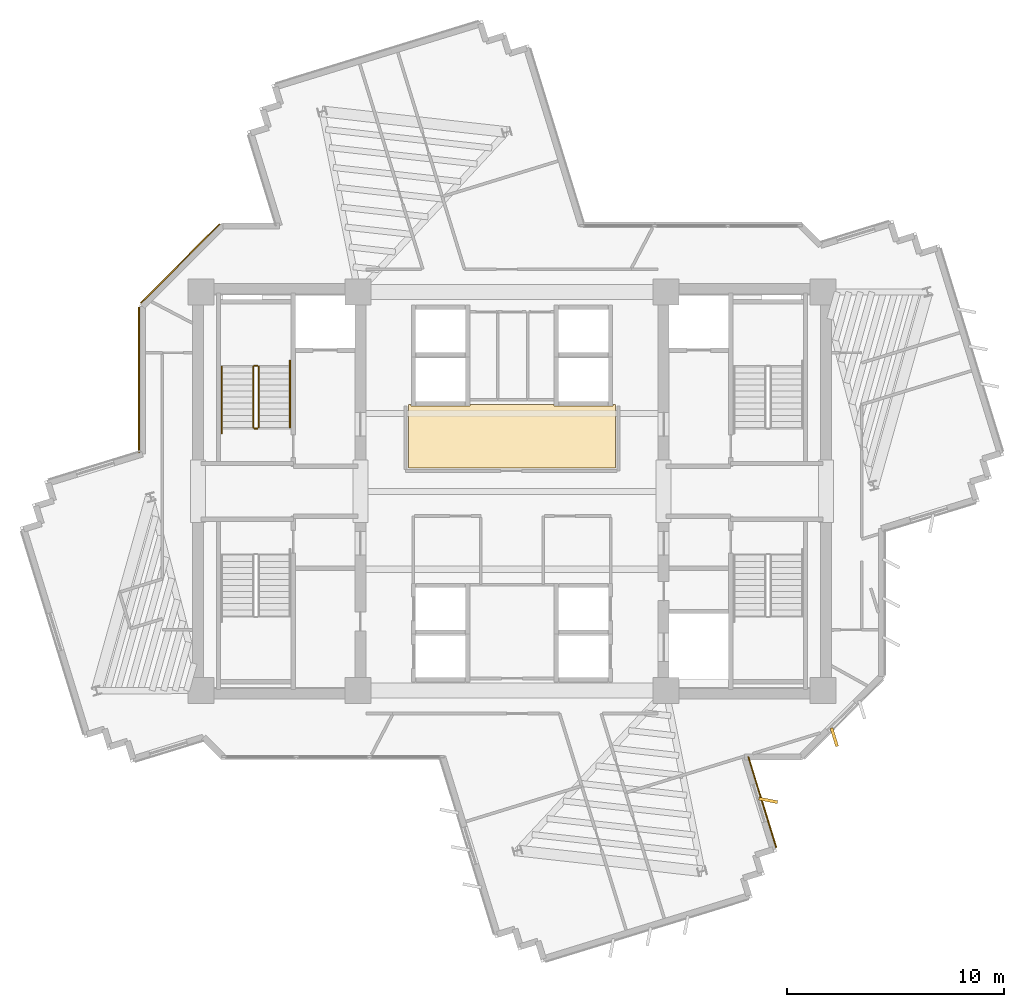
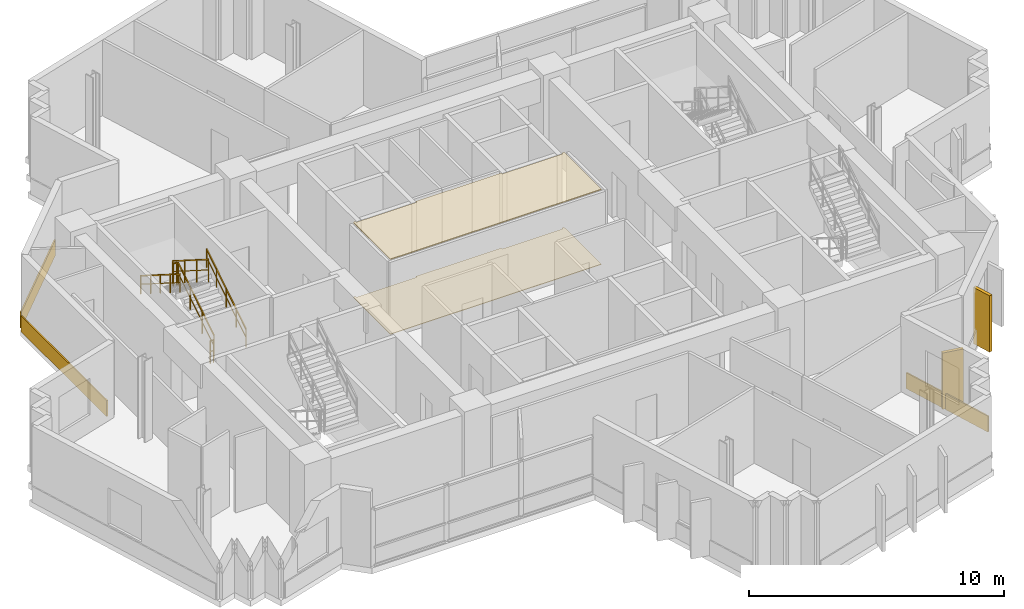
# One storey, part 11 of 13: 7 coverings, 6 railings.
"""IFC4 building model written with IfcOpenShell, lengths in metres."""

from ifc_helpers import new_model, si_unit, direction, frame, origin, origin_2d, place, context, subcontext, project, spatial, polyline, rectangle, outline, extrude, source, transform, mapped, material, layer, layer_set, type_object, element, save


model = new_model("IFC4")

# Units and contexts
model_context = context("Model", 3, precision=1e-05, world=origin(), true_north=direction((0.0, 1.0)))
body_context = subcontext(model_context, "Body", "Model", "MODEL_VIEW")
ifc_project = project(units=[si_unit("LENGTHUNIT", "METRE"), si_unit("AREAUNIT", "SQUARE_METRE"), si_unit("VOLUMEUNIT", "CUBIC_METRE"), si_unit("PLANEANGLEUNIT", "RADIAN"), si_unit("MASSUNIT", "GRAM", prefix="KILO")], contexts=[model_context])

# Site, building, storey
site_placement = place(None, origin())
site = spatial("IfcSite", under=ifc_project, at=site_placement, CompositionType="ELEMENT")
building_placement = place(site_placement, origin())
building = spatial("IfcBuilding", under=site, at=building_placement, Name="Zahravan Cultural Tower", CompositionType="ELEMENT")
storey_placement = place(building_placement, frame((0.0, 0.0, 213.60009765625)))
storey = spatial("IfcBuildingStorey", under=building, at=storey_placement, Name="L50", CompositionType="ELEMENT", Elevation=213.60009765625)

# Coverings
ifc_material_1 = material(Name="Acoustic mineral fibreboard")
ifc_layer_1 = layer(ifc_material_1, 0.0400390625)
ifc_layer_set_1 = layer_set([ifc_layer_1], Name="Acoustic mineral fibreboard")
covering_type_1 = type_object("IfcCoveringType", Name="COV-CEIL-AC20", PredefinedType="CEILING", material=ifc_layer_set_1)
covering_1_placement = place(storey_placement, frame((0.0, 0.0, 3.579833984375)))
element("IfcCovering", 1, at=covering_1_placement, inside=storey, type_object=covering_type_1, Name="L50 Acoustic Suspended Ceiling", PredefinedType="CEILING", context=body_context, shape_type="SweptSolid", body=[
    extrude(outline(polyline([(31.219970703125, 31.0), (31.219970703125, 28.080078125), (40.780029296875, 28.080078125), (40.780029296875, 31.0), (40.669921875, 31.0), (40.669921875, 30.929931640625), (37.929931640625, 30.929931640625), (37.929931640625, 31.0), (34.070068359375, 31.0), (34.070068359375, 30.929931640625), (31.330078125, 30.929931640625), (31.330078125, 31.0), (31.219970703125, 31.0)])), origin(), (0.0, 0.0, 1.0), 0.0400390625),
])
ifc_material_2 = material(Name="Terrazzo flooring")
ifc_layer_2 = layer(ifc_material_2, 0.02490234375)
ifc_layer_set_2 = layer_set([ifc_layer_2], Name="Terrazzo flooring")
covering_type_2 = type_object("IfcCoveringType", Name="COV-FLR-TZ25", PredefinedType="FLOORING", material=ifc_layer_set_2)
covering_2_placement = place(storey_placement, origin())
element("IfcCovering", 2, at=covering_2_placement, inside=storey, type_object=covering_type_2, Name="L50 Polished Terrazzo Flooring", PredefinedType="FLOORING", context=body_context, shape_type="SweptSolid", body=[
    extrude(outline(polyline([(31.219970703125, 31.0), (31.219970703125, 28.080078125), (40.780029296875, 28.080078125), (40.780029296875, 31.0), (40.669921875, 31.0), (40.669921875, 30.929931640625), (37.929931640625, 30.929931640625), (37.929931640625, 31.0), (34.070068359375, 31.0), (34.070068359375, 30.929931640625), (31.330078125, 30.929931640625), (31.330078125, 31.0), (31.219970703125, 31.0)])), origin(), (0.0, 0.0, 1.0), 0.02490234375),
])

# Railings
ifc_material_3 = material(Name="Steel ASTM A572 Grade 50", Category="steel")
railing_type_1 = type_object("IfcRailingType", Name="RL-STAIR-GRD1150", PredefinedType="BALUSTRADE", material=ifc_material_3)
railing_1_placement = place(storey_placement, frame((24.300048828125, 29.949951171875, 0.17724609375)))
element("IfcRailing", 3, at=railing_1_placement, inside=storey, type_object=railing_type_1, Name="L50 ST-W1 stair guard 1", PredefinedType="BALUSTRADE", context=body_context, shape_type="SweptSolid", body=[
    extrude(rectangle(XDim=0.05, YDim=0.05, at=origin_2d()), frame((0.0, 0.0, 1.0751953125), z_axis=(0.0, 0.844908973607, 0.534910110503), x_axis=(-1.0, 0.0, 0.0)), (0.0, 0.0, 1.0), 3.31396484375),
    extrude(rectangle(XDim=0.032, YDim=0.032, at=origin_2d()), frame((0.0, 0.0, 0.572021484375), z_axis=(0.0, 0.844908973607, 0.534910110503), x_axis=(-1.0, 0.0, 0.0)), (0.0, 0.0, 1.0), 3.31396484375),
    extrude(rectangle(XDim=0.04, YDim=0.04, at=origin_2d()), origin(), (0.0, 0.0, 1.0), 1.10009765625),
    extrude(rectangle(XDim=0.04, YDim=0.04, at=origin_2d()), frame((0.0, 0.933349609375, 0.5908203125)), (0.0, 0.0, 1.0), 1.10009765625),
    extrude(rectangle(XDim=0.04, YDim=0.04, at=origin_2d()), frame((0.0, 1.86669921875, 1.181884765625)), (0.0, 0.0, 1.0), 1.10009765625),
    extrude(rectangle(XDim=0.04, YDim=0.04, at=origin_2d()), frame((0.0, 2.800048828125, 1.772705078125)), (0.0, 0.0, 1.0), 1.10009765625),
])
railing_2_placement = place(storey_placement, frame((24.25, 32.800048828125, 1.949951171875)))
element("IfcRailing", 4, at=railing_2_placement, inside=storey, type_object=railing_type_1, Name="L50 ST-W1 stair guard 2", PredefinedType="BALUSTRADE", context=body_context, shape_type="SweptSolid", body=[
    extrude(rectangle(XDim=0.05, YDim=0.05, at=origin_2d()), frame((0.0, 0.0, 1.0751953125), z_axis=(-1.0, 0.0, 0.0), x_axis=(0.0, -1.0, 0.0)), (0.0, 0.0, 1.0), 0.14990234375),
    extrude(rectangle(XDim=0.032, YDim=0.032, at=origin_2d()), frame((0.0, 0.0, 0.572021484375), z_axis=(-1.0, 0.0, 0.0), x_axis=(0.0, -1.0, 0.0)), (0.0, 0.0, 1.0), 0.14990234375),
    extrude(rectangle(XDim=0.04, YDim=0.04, at=origin_2d()), origin(), (0.0, 0.0, 1.0), 1.10009765625),
    extrude(rectangle(XDim=0.04, YDim=0.04, at=origin_2d()), frame((-0.14990234375, 0.0, 0.0)), (0.0, 0.0, 1.0), 1.10009765625),
])
railing_3_placement = place(storey_placement, frame((24.050048828125, 32.75, 2.127197265625)))
element("IfcRailing", 5, at=railing_3_placement, inside=storey, type_object=railing_type_1, Name="L50 ST-W1 stair guard 3", PredefinedType="BALUSTRADE", context=body_context, shape_type="SweptSolid", body=[
    extrude(rectangle(XDim=0.05, YDim=0.05, at=origin_2d()), frame((0.0, 0.0, 1.0751953125), z_axis=(0.0, -0.844908973607, 0.534910110503), x_axis=(1.0, 0.0, 0.0)), (0.0, 0.0, 1.0), 3.31396484375),
    extrude(rectangle(XDim=0.032, YDim=0.032, at=origin_2d()), frame((0.0, 0.0, 0.572021484375), z_axis=(0.0, -0.844908973607, 0.534910110503), x_axis=(1.0, 0.0, 0.0)), (0.0, 0.0, 1.0), 3.31396484375),
    extrude(rectangle(XDim=0.04, YDim=0.04, at=origin_2d()), origin(), (0.0, 0.0, 1.0), 1.10009765625),
    extrude(rectangle(XDim=0.04, YDim=0.04, at=origin_2d()), frame((0.0, -0.933349609375, 0.5908203125)), (0.0, 0.0, 1.0), 1.10009765625),
    extrude(rectangle(XDim=0.04, YDim=0.04, at=origin_2d()), frame((0.0, -1.86669921875, 1.181884765625)), (0.0, 0.0, 1.0), 1.10009765625),
    extrude(rectangle(XDim=0.04, YDim=0.04, at=origin_2d()), frame((0.0, -2.800048828125, 1.772705078125)), (0.0, 0.0, 1.0), 1.10009765625),
])
railing_4_placement = place(storey_placement, frame((24.25, 29.89990234375, 0.0)))
element("IfcRailing", 6, at=railing_4_placement, inside=storey, type_object=railing_type_1, Name="L50 ST-W1 stair guard 4", PredefinedType="BALUSTRADE", context=body_context, shape_type="SweptSolid", body=[
    extrude(rectangle(XDim=0.05, YDim=0.05, at=origin_2d()), frame((0.0, 0.0, 1.0751953125), z_axis=(-1.0, 0.0, 0.0), x_axis=(0.0, -1.0, 0.0)), (0.0, 0.0, 1.0), 0.14990234375),
    extrude(rectangle(XDim=0.032, YDim=0.032, at=origin_2d()), frame((0.0, 0.0, 0.572021484375), z_axis=(-1.0, 0.0, 0.0), x_axis=(0.0, -1.0, 0.0)), (0.0, 0.0, 1.0), 0.14990234375),
    extrude(rectangle(XDim=0.04, YDim=0.04, at=origin_2d()), origin(), (0.0, 0.0, 1.0), 1.10009765625),
    extrude(rectangle(XDim=0.04, YDim=0.04, at=origin_2d()), frame((-0.14990234375, 0.0, 0.0)), (0.0, 0.0, 1.0), 1.10009765625),
])
railing_type_2 = type_object("IfcRailingType", Name="RL-STAIR-HR900", PredefinedType="HANDRAIL", material=ifc_material_3)
railing_5_placement = place(storey_placement, frame((25.75, 29.949951171875, 0.17724609375)))
element("IfcRailing", 7, at=railing_5_placement, inside=storey, type_object=railing_type_2, Name="L50 ST-W1 stair handrail 1", PredefinedType="HANDRAIL", context=body_context, shape_type="SweptSolid", body=[
    extrude(rectangle(XDim=0.05, YDim=0.05, at=origin_2d()), frame((0.0, 0.0, 0.875), z_axis=(0.0, 0.844913916606, 0.534902302785), x_axis=(-1.0, 0.0, 0.0)), (0.0, 0.0, 1.0), 3.6455078125),
    extrude(rectangle(XDim=0.032, YDim=0.032, at=origin_2d()), frame((0.0, 0.0, 0.468017578125), z_axis=(0.0, 0.844913916606, 0.534902302785), x_axis=(-1.0, 0.0, 0.0)), (0.0, 0.0, 1.0), 3.6455078125),
    extrude(rectangle(XDim=0.04, YDim=0.04, at=origin_2d()), origin(), (0.0, 0.0, 1.0), 0.89990234375),
    extrude(rectangle(XDim=0.04, YDim=0.04, at=origin_2d()), frame((0.0, 0.77001953125, 0.487548828125)), (0.0, 0.0, 1.0), 0.89990234375),
    extrude(rectangle(XDim=0.04, YDim=0.04, at=origin_2d()), frame((0.0, 1.5400390625, 0.97509765625)), (0.0, 0.0, 1.0), 0.89990234375),
    extrude(rectangle(XDim=0.04, YDim=0.04, at=origin_2d()), frame((0.0, 2.31005859375, 1.46240234375)), (0.0, 0.0, 1.0), 0.89990234375),
    extrude(rectangle(XDim=0.04, YDim=0.04, at=origin_2d()), frame((0.0, 3.080078125, 1.949951171875)), (0.0, 0.0, 1.0), 0.89990234375),
])
railing_6_placement = place(storey_placement, frame((22.60009765625, 32.75, 2.127197265625)))
element("IfcRailing", 8, at=railing_6_placement, inside=storey, type_object=railing_type_2, Name="L50 ST-W1 stair handrail 2", PredefinedType="HANDRAIL", context=body_context, shape_type="SweptSolid", body=[
    extrude(rectangle(XDim=0.05, YDim=0.05, at=origin_2d()), frame((0.0, 0.0, 0.875), z_axis=(0.0, -0.844913916606, 0.534902302785), x_axis=(1.0, 0.0, 0.0)), (0.0, 0.0, 1.0), 3.6455078125),
    extrude(rectangle(XDim=0.032, YDim=0.032, at=origin_2d()), frame((0.0, 0.0, 0.468017578125), z_axis=(0.0, -0.844913916606, 0.534902302785), x_axis=(1.0, 0.0, 0.0)), (0.0, 0.0, 1.0), 3.6455078125),
    extrude(rectangle(XDim=0.04, YDim=0.04, at=origin_2d()), origin(), (0.0, 0.0, 1.0), 0.89990234375),
    extrude(rectangle(XDim=0.04, YDim=0.04, at=origin_2d()), frame((0.0, -0.77001953125, 0.487548828125)), (0.0, 0.0, 1.0), 0.89990234375),
    extrude(rectangle(XDim=0.04, YDim=0.04, at=origin_2d()), frame((0.0, -1.5400390625, 0.97509765625)), (0.0, 0.0, 1.0), 0.89990234375),
    extrude(rectangle(XDim=0.04, YDim=0.04, at=origin_2d()), frame((0.0, -2.31005859375, 1.46240234375)), (0.0, 0.0, 1.0), 0.89990234375),
    extrude(rectangle(XDim=0.04, YDim=0.04, at=origin_2d()), frame((0.0, -3.080078125, 1.949951171875)), (0.0, 0.0, 1.0), 0.89990234375),
])

# Coverings
ifc_material_4 = material(Name="Terracotta ceramic cladding", Category="masonry")
ifc_layer_3 = layer(ifc_material_4, 0.06005859375)
ifc_layer_set_3 = layer_set([ifc_layer_3], Name="Terracotta ceramic cladding")
covering_type_3 = type_object("IfcCoveringType", Name="COV-CLAD-TC60", PredefinedType="CLADDING", material=ifc_layer_set_3)
shared_shape_1 = source(origin(), body_context, "Body", "SweptSolid", [
    extrude(rectangle(XDim=5.157958984375, YDim=0.06005859375, at=origin_2d()), origin(), (0.0, 0.0, 1.0), 0.760009765625),
])
covering_3_placement = place(storey_placement, frame((20.682373046875, 37.517578125, 0.02001953125), z_axis=(0.0, 0.0, 1.0), x_axis=(0.707106781187, 0.707106781187, 0.0)))
element("IfcCovering", 9, at=covering_3_placement, inside=storey, type_object=covering_type_3, Name="L50 Terracotta Spandrel Cladding 39", PredefinedType="CLADDING", context=body_context, shape_type="MappedRepresentation", body=[
    mapped(shared_shape_1, transform((0.0, 0.0, 0.0), x_axis=(1.0, 0.0, 0.0), y_axis=(0.0, 1.0, 0.0), z_axis=(0.0, 0.0, 1.0), scale=1.0)),
])
shared_shape_2 = source(origin(), body_context, "Body", "SweptSolid", [
    extrude(rectangle(XDim=0.8798828125, YDim=0.139892578125, at=origin_2d()), origin(), (0.0, 0.0, 1.0), 2.699951171875),
])
for number, where, z_axis, x_axis, name in (
    (10, (50.8828125, 15.644287109375, 0.0498046875), (0.0, 0.0, 1.0), (0.292371704723, -0.956304755963, 0.0), "L50 Herringbone Terracotta Fin 09"),
    (11, (47.8291015625, 12.7294921875, 0.0498046875), (0.0, 0.0, 1.0), (0.981955412209, -0.189112581374, 0.0), "L50 Herringbone Terracotta Fin 10"),
):
    element("IfcCovering", number, at=place(storey_placement, frame(where, z_axis=z_axis, x_axis=x_axis)), inside=storey, type_object=covering_type_3, Name=name, PredefinedType="CLADDING", context=body_context, shape_type="MappedRepresentation", body=[
        mapped(shared_shape_2, transform((0.0, 0.0, 0.0), x_axis=(1.0, 0.0, 0.0), y_axis=(0.0, 1.0, 0.0), z_axis=(0.0, 0.0, 1.0), scale=1.0)),
    ])
shared_shape_3 = source(origin(), body_context, "Body", "SweptSolid", [
    extrude(rectangle(XDim=6.722412109375, YDim=0.06005859375, at=origin_2d()), origin(), (0.0, 0.0, 1.0), 0.760009765625),
])
covering_4_placement = place(storey_placement, frame((18.77490234375, 32.130859375, 0.02001953125), z_axis=(0.0, 0.0, 1.0), x_axis=(0.0, 1.0, 0.0)))
element("IfcCovering", 12, at=covering_4_placement, inside=storey, type_object=covering_type_3, Name="L50 Terracotta Spandrel Cladding 38", PredefinedType="CLADDING", context=body_context, shape_type="MappedRepresentation", body=[
    mapped(shared_shape_3, transform((0.0, 0.0, 0.0), x_axis=(1.0, 0.0, 0.0), y_axis=(0.0, 1.0, 0.0), z_axis=(0.0, 0.0, 1.0), scale=1.0)),
])
shared_shape_4 = source(origin(), body_context, "Body", "SweptSolid", [
    extrude(rectangle(XDim=4.384033203125, YDim=0.06005859375, at=origin_2d()), origin(), (0.0, 0.0, 1.0), 0.760009765625),
])
covering_5_placement = place(storey_placement, frame((47.556640625, 12.6455078125, 0.02001953125), z_axis=(0.0, 0.0, 1.0), x_axis=(0.294023643452, -0.955798146625, 0.0)))
element("IfcCovering", 13, at=covering_5_placement, inside=storey, type_object=covering_type_3, Name="L50 Terracotta Spandrel Cladding 15", PredefinedType="CLADDING", context=body_context, shape_type="MappedRepresentation", body=[
    mapped(shared_shape_4, transform((0.0, 0.0, 0.0), x_axis=(1.0, 0.0, 0.0), y_axis=(0.0, 1.0, 0.0), z_axis=(0.0, 0.0, 1.0), scale=1.0)),
])

save(model, "model.ifc")
